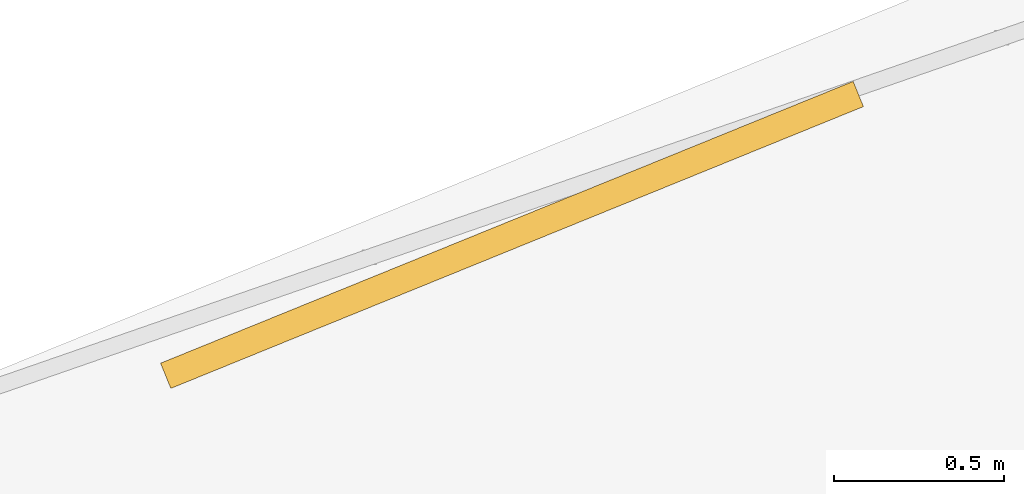
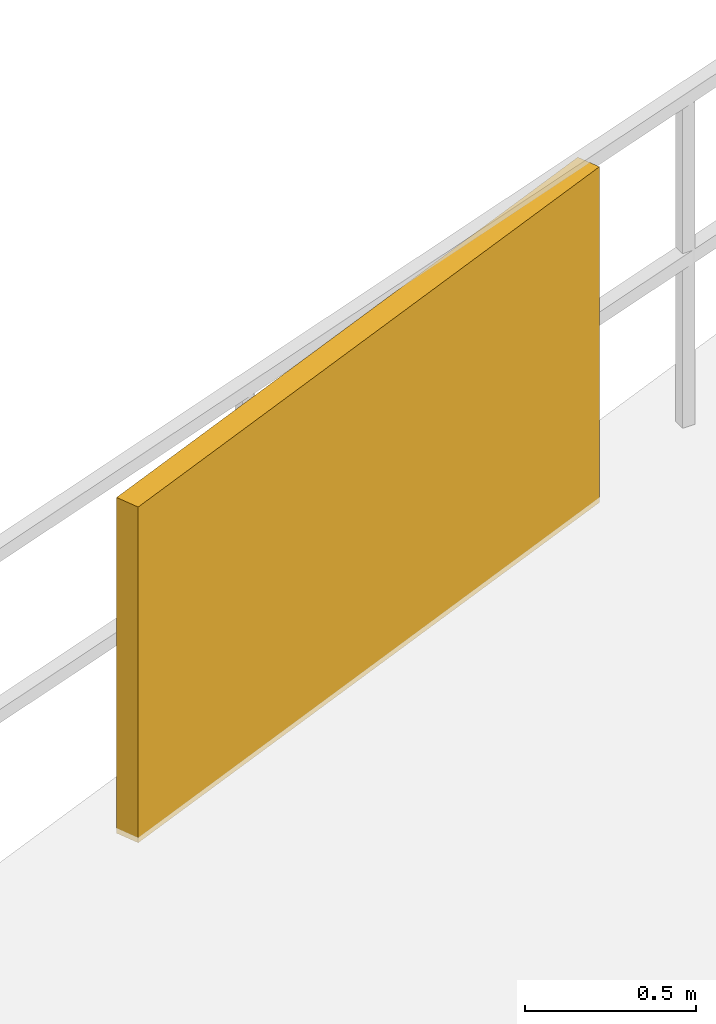
# One storey, part 28 of 29: 1 shading device.
"""IFC4 building model written with IfcOpenShell, lengths in metres."""

import ifcopenshell
import ifcopenshell.guid

model = None  # the IFC model being written
_history = None  # IfcOwnerHistory: only IFC2X3 demands one
_inside = {}  # id of a spatial element -> (the spatial element, [elements in it])
_under = {}  # id of a project, library or spatial element -> (it, [spatial elements below it])
_declared = {}  # id of a project -> (the project, [libraries it declares])
_typed = {}  # id of a type object -> (the type object, [elements of that type])
_made_of = {}  # id of a material, layer set ... -> (it, [elements and type objects made of it])


def new_model(schema):
    """Start an empty IFC model of exactly this schema.

    Asked for "IFC4X3", IfcOpenShell would pick the latest addendum, in which some entities
    have other attributes; the version numbers below select the first issue.
    IFC2X3 requires an IfcOwnerHistory on every rooted entity: one is made here for all.
    """
    global model, _history
    if schema == "IFC4X3":
        model = ifcopenshell.file(schema_version=(4, 3, 0, 0))
    else:
        model = ifcopenshell.file(schema=schema)
    _inside.clear()
    _under.clear()
    _declared.clear()
    _typed.clear()
    _made_of.clear()
    _history = None
    if model.schema == "IFC2X3":
        org = make("IfcOrganization", Name="unknown")
        user = make(
            "IfcPersonAndOrganization",
            ThePerson=make("IfcPerson", FamilyName="unknown"),
            TheOrganization=org,
        )
        app = make(
            "IfcApplication",
            ApplicationDeveloper=org,
            Version="unknown",
            ApplicationFullName="unknown",
            ApplicationIdentifier="unknown",
        )
        _history = make(
            "IfcOwnerHistory",
            OwningUser=user,
            OwningApplication=app,
            ChangeAction="ADDED",
            CreationDate=0,
        )
    return model


def make(cls, **values):
    """One entity of the class cls with the attributes given. An attribute that is None is left unset."""
    return model.create_entity(
        cls, **{name: value for name, value in values.items() if value is not None}
    )


def rooted(cls, **values):
    """An entity with a GlobalId (a new one), such as an element, a storey or a relation."""
    return make(cls, GlobalId=ifcopenshell.guid.new(), OwnerHistory=_history, **values)


def si_unit(unit_type, name, prefix=None):
    """IfcSIUnit, for example si_unit("LENGTHUNIT", "METRE", prefix="MILLI")."""
    return make("IfcSIUnit", UnitType=unit_type, Prefix=prefix, Name=name)


def assignment(units):
    """IfcUnitAssignment: the units of a project."""
    return None if units is None else make("IfcUnitAssignment", Units=units)


def point(xyz):
    """IfcCartesianPoint."""
    return None if xyz is None else make("IfcCartesianPoint", Coordinates=xyz)


def direction(xyz):
    """IfcDirection."""
    return None if xyz is None else make("IfcDirection", DirectionRatios=xyz)


def frame(location, z_axis=None, x_axis=None):
    """IfcAxis2Placement3D, a coordinate frame: its origin and axes. An axis left out is left unset."""
    return make(
        "IfcAxis2Placement3D",
        Location=point(location),
        Axis=direction(z_axis),
        RefDirection=direction(x_axis),
    )


def frame_2d(location, x_axis=None):
    """IfcAxis2Placement2D, a coordinate frame in the plane: its origin and x axis."""
    return make(
        "IfcAxis2Placement2D", Location=point(location), RefDirection=direction(x_axis)
    )


def origin():
    """The frame at (0, 0, 0) with its axes left unset."""
    return frame((0.0, 0.0, 0.0))


def origin_2d():
    """The frame at (0, 0) in the plane with its x axis left unset."""
    return frame_2d((0.0, 0.0))


def place(relative_to, where):
    """IfcLocalPlacement: puts the frame where relative to a parent placement (None: the world)."""
    return make(
        "IfcLocalPlacement", PlacementRelTo=relative_to, RelativePlacement=where
    )


def context(
    kind, dimensions, precision=None, world=None, true_north=None, identifier=None
):
    """IfcGeometricRepresentationContext, for example the 3D "Model" context."""
    return make(
        "IfcGeometricRepresentationContext",
        ContextIdentifier=identifier,
        ContextType=kind,
        CoordinateSpaceDimension=dimensions,
        Precision=precision,
        WorldCoordinateSystem=world,
        TrueNorth=true_north,
    )


def subcontext(parent, identifier, kind, view, scale=None):
    """IfcGeometricRepresentationSubContext, for example "Body" below "Model"."""
    return make(
        "IfcGeometricRepresentationSubContext",
        ContextIdentifier=identifier,
        ContextType=kind,
        ParentContext=parent,
        TargetScale=scale,
        TargetView=view,
    )


def project(units=None, contexts=None):
    """IfcProject with its units and contexts."""
    return rooted(
        "IfcProject",
        Name="project",
        RepresentationContexts=contexts,
        UnitsInContext=assignment(units),
    )


def spatial(cls, under=None, at=None, **own):
    """A site, building, storey or space (cls), placed at a placement, below another one or the project."""
    s = rooted(cls, ObjectPlacement=at, **own)
    if under is not None:
        _under.setdefault(under.id(), (under, []))[1].append(s)
    return s


def profile(cls, at=None, kind="AREA", **sizes):
    """A parametric profile (cls). Its sizes go by their IFC names, for example OverallWidth=200.0."""
    return make(cls, ProfileType=kind, Position=at, **sizes)


def rectangle(**sizes):
    """IfcRectangleProfileDef."""
    return profile("IfcRectangleProfileDef", **sizes)


def extrude(swept, where, along, depth):
    """IfcExtrudedAreaSolid: the profile swept, set in the frame where, extruded along a direction by depth."""
    return make(
        "IfcExtrudedAreaSolid",
        SweptArea=swept,
        Position=where,
        ExtrudedDirection=direction(along),
        Depth=depth,
    )


def shape(context_of_items, identifier, shape_type, items):
    """IfcShapeRepresentation: the items that make up one representation, for example the "Body"."""
    return make(
        "IfcShapeRepresentation",
        ContextOfItems=context_of_items,
        RepresentationIdentifier=identifier,
        RepresentationType=shape_type,
        Items=items,
    )


def material(Name=None, Category=None):
    """IfcMaterial."""
    return make("IfcMaterial", Name=Name, Category=Category)


def made_of(thing, what):
    """Note that an element or type object is made of a material, layer set ...; save() writes the relation."""
    if what is not None:
        _made_of.setdefault(what.id(), (what, []))[1].append(thing)
    return thing


def type_object(cls, material=None, **own):
    """A type object (cls), such as IfcWallType, which elements share."""
    return made_of(rooted(cls, **own), material)


def element(
    cls,
    number,
    at=None,
    inside=None,
    cuts=None,
    type_object=None,
    material=None,
    context=None,
    identifier="Body",
    shape_type=None,
    held_by="IfcProductDefinitionShape",
    body=None,
    shapes=None,
    **own,
):
    """One element of the class cls, such as IfcWall. Its Tag is "e" and its number.

    at: its placement. inside: the storey or other place that contains it. cuts: it is an
    opening in that element (IfcRelVoidsElement). A single representation is given by context,
    identifier, shape_type and body (its items); several are given by shapes. held_by: the class
    of the entity that holds the representations. save() writes the other relations.
    """
    e = rooted(cls, Tag="e%d" % number, ObjectPlacement=at, **own)
    if body is not None:
        shapes = [shape(context, identifier, shape_type, body)]
    if shapes is not None:
        e.Representation = make(held_by, Representations=shapes)
    if inside is not None:
        _inside.setdefault(inside.id(), (inside, []))[1].append(e)
    if cuts is not None:
        rooted(
            "IfcRelVoidsElement", RelatingBuildingElement=cuts, RelatedOpeningElement=e
        )
    if type_object is not None:
        _typed.setdefault(type_object.id(), (type_object, []))[1].append(e)
    return made_of(e, material)


def aggregate(whole, parts):
    """IfcRelAggregates: a whole, such as a stair, and the parts it consists of."""
    return rooted("IfcRelAggregates", RelatingObject=whole, RelatedObjects=parts)


def save(model, path):
    """Write the relations noted so far, then the file.

    IfcRelAggregates (storeys below a building ...), IfcRelContainedInSpatialStructure (elements
    in a storey), IfcRelDefinesByType, IfcRelAssociatesMaterial and IfcRelDeclares: one each for
    every whole, place, type object, material and project.
    """
    for whole, parts in _under.values():
        aggregate(whole, parts)
    for where, things in _inside.values():
        rooted(
            "IfcRelContainedInSpatialStructure",
            RelatedElements=things,
            RelatingStructure=where,
        )
    for kind, things in _typed.values():
        rooted("IfcRelDefinesByType", RelatedObjects=things, RelatingType=kind)
    for what, things in _made_of.values():
        rooted("IfcRelAssociatesMaterial", RelatedObjects=things, RelatingMaterial=what)
    for by, libraries in _declared.values():
        rooted("IfcRelDeclares", RelatingContext=by, RelatedDefinitions=libraries)
    model.write(path)


model = new_model("IFC4")

# Units and contexts
model_context = context("Model", 3, precision=1e-05, world=origin(), true_north=direction((0.0, 1.0)))
body_context = subcontext(model_context, "Body", "Model", "MODEL_VIEW")
ifc_project = project(units=[si_unit("LENGTHUNIT", "METRE"), si_unit("AREAUNIT", "SQUARE_METRE"), si_unit("VOLUMEUNIT", "CUBIC_METRE"), si_unit("PLANEANGLEUNIT", "RADIAN"), si_unit("MASSUNIT", "GRAM", prefix="KILO")], contexts=[model_context])

# Site, building, storey
site_placement = place(None, origin())
site = spatial("IfcSite", under=ifc_project, at=site_placement, CompositionType="ELEMENT")
building_placement = place(site_placement, origin())
building = spatial("IfcBuilding", under=site, at=building_placement, Name="Vorneva Point Tower", CompositionType="ELEMENT")
storey_placement = place(building_placement, frame((0.0, 0.0, 167.60009765625)))
storey = spatial("IfcBuildingStorey", under=building, at=storey_placement, Name="L45", CompositionType="ELEMENT", Elevation=167.60009765625)

# Shading device
ifc_material = material(Name="Pale anodised aluminium", Category="aluminium")
shading_device_type = type_object("IfcShadingDeviceType", Name="SHD-JAL-1200", PredefinedType="JALOUSIE", material=ifc_material)
shading_device_placement = place(storey_placement, frame((21.0380859375, 42.18798828125, -0.02001953125), z_axis=(0.0, 0.0, 1.0), x_axis=(-0.926272328518, -0.376854843968, 0.0)))
element("IfcShadingDevice", 1, at=shading_device_placement, inside=storey, type_object=shading_device_type, Name="L45 Balcony Vertical-Greenery Planter Screen NW.2", PredefinedType="JALOUSIE", context=body_context, shape_type="SweptSolid", body=[
    extrude(rectangle(XDim=2.199951171875, YDim=0.080078125, at=origin_2d()), origin(), (0.0, 0.0, 1.0), 1.199951171875),
])

save(model, "model.ifc")
